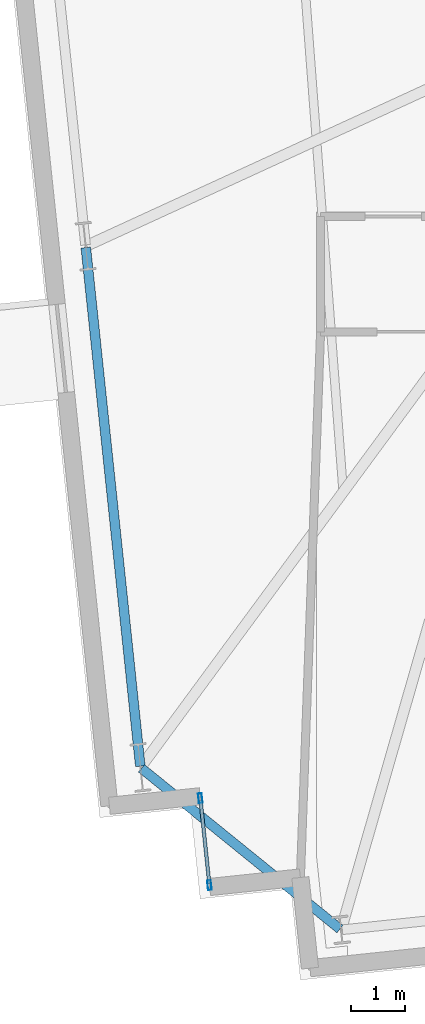
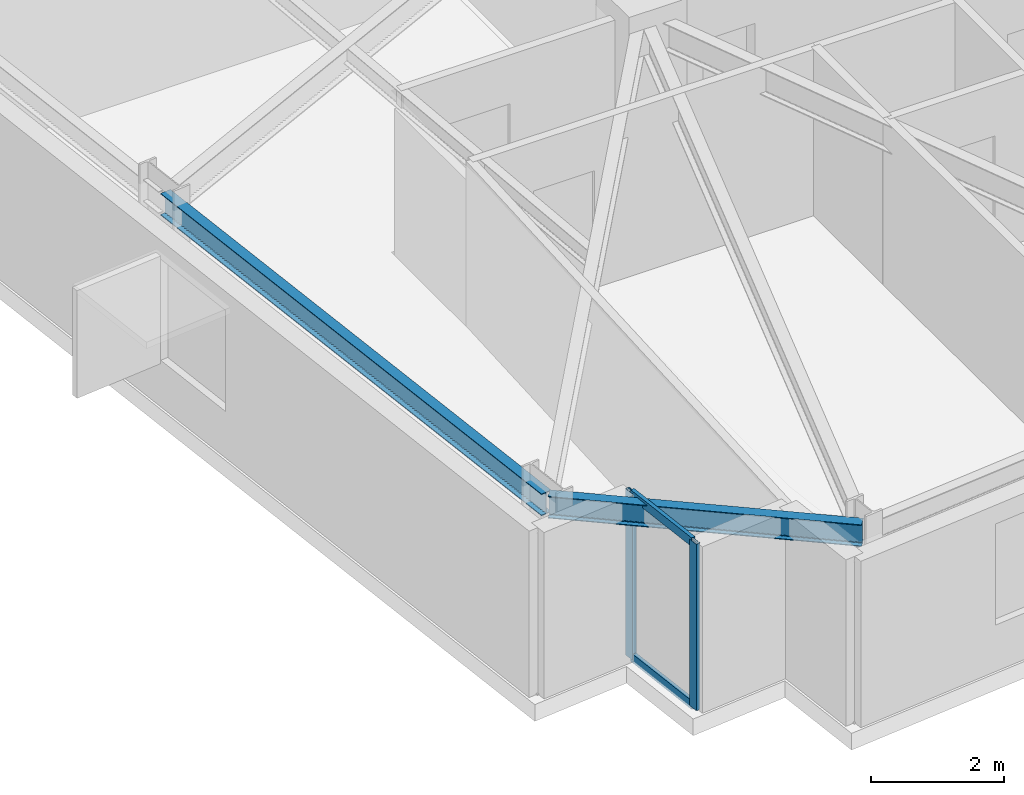
# One storey, part 4 of 19: 4 members, 2 beams, 1 element without a shape of its own.
"""IFC4 building model written with IfcOpenShell, lengths in metres."""

import ifcopenshell
import ifcopenshell.guid

model = None  # the IFC model being written
_history = None  # IfcOwnerHistory: only IFC2X3 demands one
_inside = {}  # id of a spatial element -> (the spatial element, [elements in it])
_under = {}  # id of a project, library or spatial element -> (it, [spatial elements below it])
_declared = {}  # id of a project -> (the project, [libraries it declares])
_typed = {}  # id of a type object -> (the type object, [elements of that type])
_made_of = {}  # id of a material, layer set ... -> (it, [elements and type objects made of it])


def new_model(schema):
    """Start an empty IFC model of exactly this schema.

    Asked for "IFC4X3", IfcOpenShell would pick the latest addendum, in which some entities
    have other attributes; the version numbers below select the first issue.
    IFC2X3 requires an IfcOwnerHistory on every rooted entity: one is made here for all.
    """
    global model, _history
    if schema == "IFC4X3":
        model = ifcopenshell.file(schema_version=(4, 3, 0, 0))
    else:
        model = ifcopenshell.file(schema=schema)
    _inside.clear()
    _under.clear()
    _declared.clear()
    _typed.clear()
    _made_of.clear()
    _history = None
    if model.schema == "IFC2X3":
        org = make("IfcOrganization", Name="unknown")
        user = make(
            "IfcPersonAndOrganization",
            ThePerson=make("IfcPerson", FamilyName="unknown"),
            TheOrganization=org,
        )
        app = make(
            "IfcApplication",
            ApplicationDeveloper=org,
            Version="unknown",
            ApplicationFullName="unknown",
            ApplicationIdentifier="unknown",
        )
        _history = make(
            "IfcOwnerHistory",
            OwningUser=user,
            OwningApplication=app,
            ChangeAction="ADDED",
            CreationDate=0,
        )
    return model


def make(cls, **values):
    """One entity of the class cls with the attributes given. An attribute that is None is left unset."""
    return model.create_entity(
        cls, **{name: value for name, value in values.items() if value is not None}
    )


def rooted(cls, **values):
    """An entity with a GlobalId (a new one), such as an element, a storey or a relation."""
    return make(cls, GlobalId=ifcopenshell.guid.new(), OwnerHistory=_history, **values)


def si_unit(unit_type, name, prefix=None):
    """IfcSIUnit, for example si_unit("LENGTHUNIT", "METRE", prefix="MILLI")."""
    return make("IfcSIUnit", UnitType=unit_type, Prefix=prefix, Name=name)


def assignment(units):
    """IfcUnitAssignment: the units of a project."""
    return None if units is None else make("IfcUnitAssignment", Units=units)


def point(xyz):
    """IfcCartesianPoint."""
    return None if xyz is None else make("IfcCartesianPoint", Coordinates=xyz)


def direction(xyz):
    """IfcDirection."""
    return None if xyz is None else make("IfcDirection", DirectionRatios=xyz)


def frame(location, z_axis=None, x_axis=None):
    """IfcAxis2Placement3D, a coordinate frame: its origin and axes. An axis left out is left unset."""
    return make(
        "IfcAxis2Placement3D",
        Location=point(location),
        Axis=direction(z_axis),
        RefDirection=direction(x_axis),
    )


def frame_2d(location, x_axis=None):
    """IfcAxis2Placement2D, a coordinate frame in the plane: its origin and x axis."""
    return make(
        "IfcAxis2Placement2D", Location=point(location), RefDirection=direction(x_axis)
    )


def origin():
    """The frame at (0, 0, 0) with its axes left unset."""
    return frame((0.0, 0.0, 0.0))


def origin_2d():
    """The frame at (0, 0) in the plane with its x axis left unset."""
    return frame_2d((0.0, 0.0))


def place(relative_to, where):
    """IfcLocalPlacement: puts the frame where relative to a parent placement (None: the world)."""
    return make(
        "IfcLocalPlacement", PlacementRelTo=relative_to, RelativePlacement=where
    )


def context(
    kind, dimensions, precision=None, world=None, true_north=None, identifier=None
):
    """IfcGeometricRepresentationContext, for example the 3D "Model" context."""
    return make(
        "IfcGeometricRepresentationContext",
        ContextIdentifier=identifier,
        ContextType=kind,
        CoordinateSpaceDimension=dimensions,
        Precision=precision,
        WorldCoordinateSystem=world,
        TrueNorth=true_north,
    )


def subcontext(parent, identifier, kind, view, scale=None):
    """IfcGeometricRepresentationSubContext, for example "Body" below "Model"."""
    return make(
        "IfcGeometricRepresentationSubContext",
        ContextIdentifier=identifier,
        ContextType=kind,
        ParentContext=parent,
        TargetScale=scale,
        TargetView=view,
    )


def project(units=None, contexts=None):
    """IfcProject with its units and contexts."""
    return rooted(
        "IfcProject",
        Name="project",
        RepresentationContexts=contexts,
        UnitsInContext=assignment(units),
    )


def spatial(cls, under=None, at=None, **own):
    """A site, building, storey or space (cls), placed at a placement, below another one or the project."""
    s = rooted(cls, ObjectPlacement=at, **own)
    if under is not None:
        _under.setdefault(under.id(), (under, []))[1].append(s)
    return s


def profile(cls, at=None, kind="AREA", **sizes):
    """A parametric profile (cls). Its sizes go by their IFC names, for example OverallWidth=200.0."""
    return make(cls, ProfileType=kind, Position=at, **sizes)


def hollow_rectangle(**sizes):
    """IfcRectangleHollowProfileDef."""
    return profile("IfcRectangleHollowProfileDef", **sizes)


def i_section(**sizes):
    """IfcIShapeProfileDef."""
    return profile("IfcIShapeProfileDef", **sizes)


def extrude(swept, where, along, depth):
    """IfcExtrudedAreaSolid: the profile swept, set in the frame where, extruded along a direction by depth."""
    return make(
        "IfcExtrudedAreaSolid",
        SweptArea=swept,
        Position=where,
        ExtrudedDirection=direction(along),
        Depth=depth,
    )


def shape(context_of_items, identifier, shape_type, items):
    """IfcShapeRepresentation: the items that make up one representation, for example the "Body"."""
    return make(
        "IfcShapeRepresentation",
        ContextOfItems=context_of_items,
        RepresentationIdentifier=identifier,
        RepresentationType=shape_type,
        Items=items,
    )


def material(Name=None, Category=None):
    """IfcMaterial."""
    return make("IfcMaterial", Name=Name, Category=Category)


def layer(
    of_material, thickness, ventilated=None, Name=None, Category=None, Priority=None
):
    """IfcMaterialLayer: one layer of a wall or slab, of a material (None: an air gap)."""
    return make(
        "IfcMaterialLayer",
        Material=of_material,
        LayerThickness=thickness,
        IsVentilated=ventilated,
        Name=Name,
        Category=Category,
        Priority=Priority,
    )


def layer_set(layers, Name=None):
    """IfcMaterialLayerSet."""
    return make("IfcMaterialLayerSet", MaterialLayers=layers, LayerSetName=Name)


def material_profile(
    of_material, cross_section, Name=None, Category=None, Priority=None
):
    """IfcMaterialProfile: a cross section and its material."""
    return make(
        "IfcMaterialProfile",
        Name=Name,
        Material=of_material,
        Profile=cross_section,
        Priority=Priority,
        Category=Category,
    )


def profile_set(profiles, Name=None, composite=None):
    """IfcMaterialProfileSet."""
    return make(
        "IfcMaterialProfileSet",
        Name=Name,
        MaterialProfiles=profiles,
        CompositeProfile=composite,
    )


def made_of(thing, what):
    """Note that an element or type object is made of a material, layer set ...; save() writes the relation."""
    if what is not None:
        _made_of.setdefault(what.id(), (what, []))[1].append(thing)
    return thing


def type_object(cls, material=None, **own):
    """A type object (cls), such as IfcWallType, which elements share."""
    return made_of(rooted(cls, **own), material)


def element(
    cls,
    number,
    at=None,
    inside=None,
    cuts=None,
    type_object=None,
    material=None,
    context=None,
    identifier="Body",
    shape_type=None,
    held_by="IfcProductDefinitionShape",
    body=None,
    shapes=None,
    **own,
):
    """One element of the class cls, such as IfcWall. Its Tag is "e" and its number.

    at: its placement. inside: the storey or other place that contains it. cuts: it is an
    opening in that element (IfcRelVoidsElement). A single representation is given by context,
    identifier, shape_type and body (its items); several are given by shapes. held_by: the class
    of the entity that holds the representations. save() writes the other relations.
    """
    e = rooted(cls, Tag="e%d" % number, ObjectPlacement=at, **own)
    if body is not None:
        shapes = [shape(context, identifier, shape_type, body)]
    if shapes is not None:
        e.Representation = make(held_by, Representations=shapes)
    if inside is not None:
        _inside.setdefault(inside.id(), (inside, []))[1].append(e)
    if cuts is not None:
        rooted(
            "IfcRelVoidsElement", RelatingBuildingElement=cuts, RelatedOpeningElement=e
        )
    if type_object is not None:
        _typed.setdefault(type_object.id(), (type_object, []))[1].append(e)
    return made_of(e, material)


def aggregate(whole, parts):
    """IfcRelAggregates: a whole, such as a stair, and the parts it consists of."""
    return rooted("IfcRelAggregates", RelatingObject=whole, RelatedObjects=parts)


def save(model, path):
    """Write the relations noted so far, then the file.

    IfcRelAggregates (storeys below a building ...), IfcRelContainedInSpatialStructure (elements
    in a storey), IfcRelDefinesByType, IfcRelAssociatesMaterial and IfcRelDeclares: one each for
    every whole, place, type object, material and project.
    """
    for whole, parts in _under.values():
        aggregate(whole, parts)
    for where, things in _inside.values():
        rooted(
            "IfcRelContainedInSpatialStructure",
            RelatedElements=things,
            RelatingStructure=where,
        )
    for kind, things in _typed.values():
        rooted("IfcRelDefinesByType", RelatedObjects=things, RelatingType=kind)
    for what, things in _made_of.values():
        rooted("IfcRelAssociatesMaterial", RelatedObjects=things, RelatingMaterial=what)
    for by, libraries in _declared.values():
        rooted("IfcRelDeclares", RelatingContext=by, RelatedDefinitions=libraries)
    model.write(path)


model = new_model("IFC4")

# Units and contexts
model_context = context("Model", 3, precision=1e-05, world=origin(), true_north=direction((0.0, 1.0)))
body_context = subcontext(model_context, "Body", "Model", "MODEL_VIEW")
ifc_project = project(units=[si_unit("LENGTHUNIT", "METRE"), si_unit("AREAUNIT", "SQUARE_METRE"), si_unit("VOLUMEUNIT", "CUBIC_METRE"), si_unit("PLANEANGLEUNIT", "RADIAN"), si_unit("MASSUNIT", "GRAM", prefix="KILO")], contexts=[model_context])

# Site, building, storey
site_placement = place(None, origin())
site = spatial("IfcSite", under=ifc_project, at=site_placement, CompositionType="ELEMENT")
building_placement = place(site_placement, origin())
building = spatial("IfcBuilding", under=site, at=building_placement, Name="Qobustan Lattice House", CompositionType="ELEMENT")
storey_placement = place(building_placement, frame((0.0, 0.0, 115.85009765625)))
storey = spatial("IfcBuildingStorey", under=building, at=storey_placement, Name="L32", CompositionType="ELEMENT", Elevation=115.85009765625)

# Beams
ifc_material_1 = material(Name="Steel S355", Category="steel")
ifc_material_profile_1 = material_profile(ifc_material_1, i_section(OverallWidth=0.179931640625, OverallDepth=0.39990234375, WebThickness=0.008544921875, FlangeThickness=0.013427734375, FilletRadius=0.02099609375, at=origin_2d()), Name="IPE400")
ifc_profile_set_1 = profile_set([ifc_material_profile_1], Name="Steel S355")
beam_type = type_object("IfcBeamType", Name="BM-SPD-IPE400", PredefinedType="SPANDREL", material=ifc_profile_set_1)
beam_1_placement = place(storey_placement, frame((-27.37451171875, -6.180908203125, 2.844970703125), z_axis=(0.104527826257, -0.994521962321, 0.0), x_axis=(0.994521962321, 0.104527826257, 0.0)))
element("IfcBeam", 1, at=beam_1_placement, inside=storey, type_object=beam_type, Name="L32 perimeter spandrel W3-W4", PredefinedType="SPANDREL", context=body_context, shape_type="SweptSolid", body=[
    extrude(i_section(OverallWidth=0.179931640625, OverallDepth=0.39990234375, WebThickness=0.008544921875, FlangeThickness=0.013427734375, FilletRadius=0.02099609375, at=origin_2d()), origin(), (0.0, 0.0, 1.0), 9.71630859375),
])
beam_2_placement = place(storey_placement, frame((-26.3369140625, -15.884765625, 2.844970703125), z_axis=(0.777140911545, -0.629326627121, 0.0), x_axis=(0.629326627121, 0.777140911545, 0.0)))
element("IfcBeam", 2, at=beam_2_placement, inside=storey, type_object=beam_type, Name="L32 perimeter spandrel W4-S1", PredefinedType="SPANDREL", context=body_context, shape_type="SweptSolid", body=[
    extrude(i_section(OverallWidth=0.179931640625, OverallDepth=0.39990234375, WebThickness=0.008544921875, FlangeThickness=0.013427734375, FilletRadius=0.02099609375, at=origin_2d()), origin(), (0.0, 0.0, 1.0), 4.758544921875),
])

# Curtain wall, members
ifc_material_2 = material(Name="Anodised aluminium and low-E glazing", Category="aluminium")
ifc_layer = layer(ifc_material_2, 0.219970703125)
ifc_layer_set = layer_set([ifc_layer], Name="Anodised aluminium and low-E glazing")
curtain_wall_type = type_object("IfcCurtainWallType", Name="CW-FAC-01", PredefinedType="USERDEFINED", material=ifc_layer_set)
curtain_wall_placement = place(storey_placement, origin())
curtain_wall = element("IfcCurtainWall", 3, at=curtain_wall_placement, inside=storey, type_object=curtain_wall_type, Name="L32 serrated corner faceted glazing 3", ObjectType="CURTAIN WALL", PredefinedType="USERDEFINED")
ifc_material_3 = material(Name="Anodised aluminium EN AW-6063 T6", Category="aluminium")
ifc_material_profile_2 = material_profile(ifc_material_3, hollow_rectangle(XDim=0.070068359375, YDim=0.179931640625, WallThickness=0.00439453125, at=origin_2d()), Name="CWM-180x70")
ifc_profile_set_2 = profile_set([ifc_material_profile_2], Name="Anodised aluminium EN AW-6063 T6")
member_type_1 = type_object("IfcMemberType", Name="CWM-STD-180", PredefinedType="MULLION", material=ifc_profile_set_2)
member_1_placement = place(storey_placement, frame((-25.070068359375, -18.0615234375, 0.0), z_axis=(0.0, 0.0, 1.0), x_axis=(-0.994521878892, -0.104528620025, 0.0)))
member_1 = element("IfcMember", 4, at=member_1_placement, type_object=member_type_1, Name="CW-F1 mullion 1", PredefinedType="MULLION", context=body_context, shape_type="SweptSolid", body=[
    extrude(hollow_rectangle(XDim=0.070068359375, YDim=0.179931640625, WallThickness=0.00439453125, at=origin_2d()), origin(), (0.0, 0.0, 1.0), 3.044921875),
])
member_2_placement = place(storey_placement, frame((-25.240234375, -16.4404296875, 0.0), z_axis=(0.0, 0.0, 1.0), x_axis=(-0.994521878892, -0.104528620025, 0.0)))
member_2 = element("IfcMember", 5, at=member_2_placement, type_object=member_type_1, Name="CW-F1 mullion 2", PredefinedType="MULLION", context=body_context, shape_type="SweptSolid", body=[
    extrude(hollow_rectangle(XDim=0.070068359375, YDim=0.179931640625, WallThickness=0.00439453125, at=origin_2d()), origin(), (0.0, 0.0, 1.0), 3.044921875),
])
ifc_material_4 = material(Name="Anodised aluminium EN AW-6063 T6", Category="aluminium")
ifc_material_profile_3 = material_profile(ifc_material_4, hollow_rectangle(XDim=0.06494140625, YDim=0.159912109375, WallThickness=0.00390625, at=origin_2d()), Name="CWT-160x65")
ifc_profile_set_3 = profile_set([ifc_material_profile_3], Name="Anodised aluminium EN AW-6063 T6")
member_type_2 = type_object("IfcMemberType", Name="CWT-HOR-160", PredefinedType="USERDEFINED", material=ifc_profile_set_3)
member_3_placement = place(storey_placement, frame((-25.07373046875, -18.02685546875, 0.032470703125), z_axis=(-0.104383362594, 0.994537135362, 0.0), x_axis=(-0.994537135362, -0.104383362594, 0.0)))
member_3 = element("IfcMember", 6, at=member_3_placement, type_object=member_type_2, Name="CW-F1 transom 1.1", ObjectType="TRANSOM", PredefinedType="USERDEFINED", context=body_context, shape_type="SweptSolid", body=[
    extrude(hollow_rectangle(XDim=0.06494140625, YDim=0.159912109375, WallThickness=0.00390625, at=origin_2d()), origin(), (0.0, 0.0, 1.0), 1.56005859375),
])
member_4_placement = place(storey_placement, frame((-25.07373046875, -18.02685546875, 3.012451171875), z_axis=(-0.104383362594, 0.994537135362, 0.0), x_axis=(-0.994537135362, -0.104383362594, 0.0)))
member_4 = element("IfcMember", 7, at=member_4_placement, type_object=member_type_2, Name="CW-F1 transom 1.2", ObjectType="TRANSOM", PredefinedType="USERDEFINED", context=body_context, shape_type="SweptSolid", body=[
    extrude(hollow_rectangle(XDim=0.06494140625, YDim=0.159912109375, WallThickness=0.00390625, at=origin_2d()), origin(), (0.0, 0.0, 1.0), 1.56005859375),
])
aggregate(curtain_wall, [member_1, member_2, member_3, member_4])

save(model, "model.ifc")
